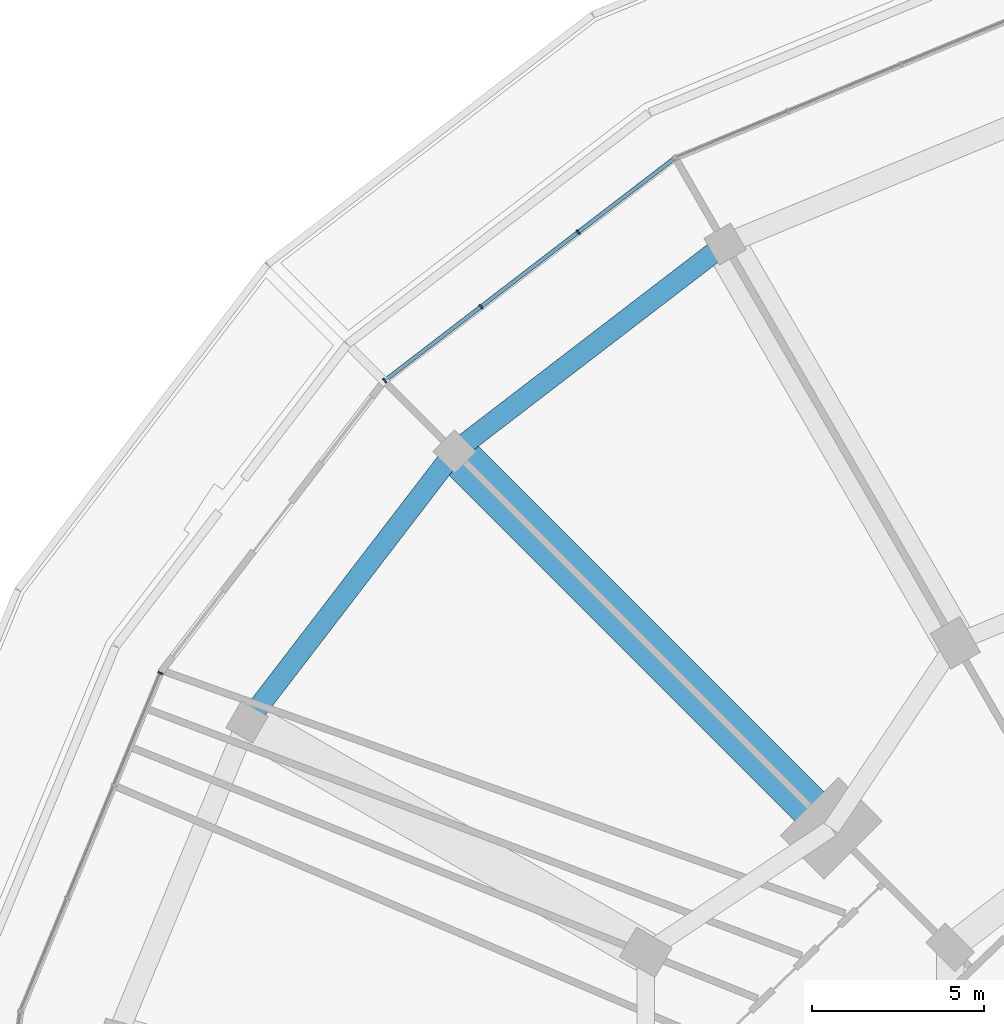
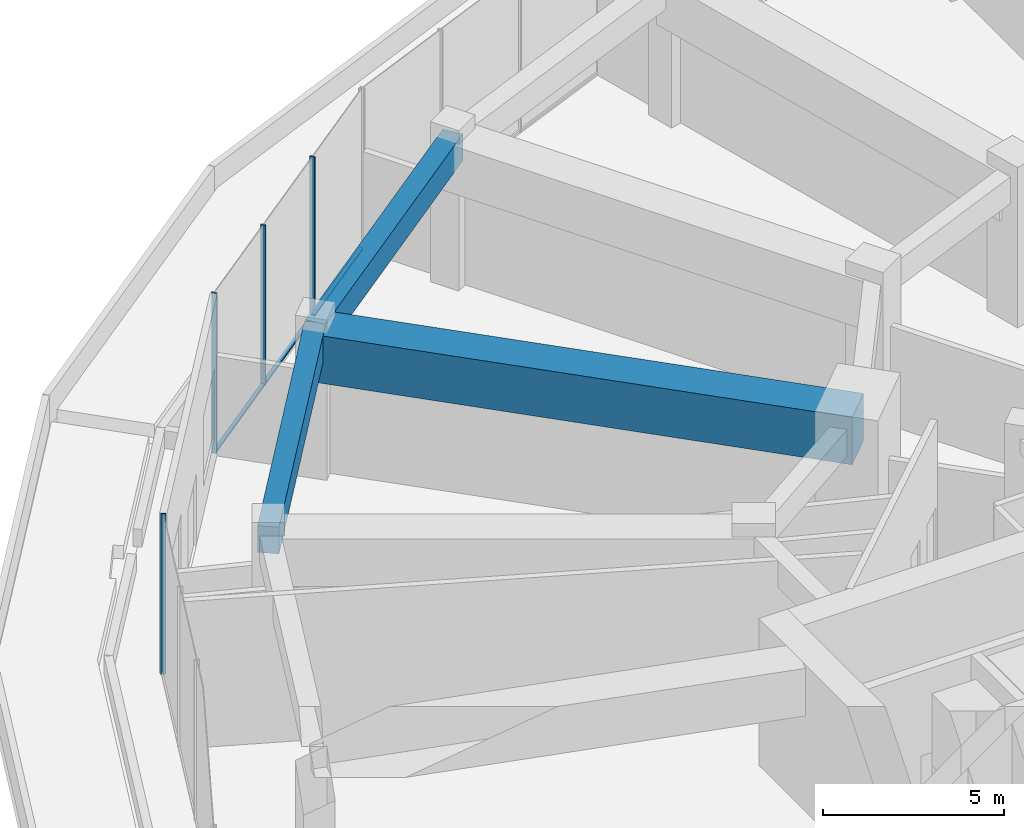
# One storey, part 14 of 30: 7 members, 3 beams, 2 elements without a shape of their own.
"""IFC4 building model written with IfcOpenShell, lengths in metres."""

from ifc_helpers import new_model, si_unit, direction, frame, origin, origin_2d, place, context, subcontext, project, spatial, rectangle, extrude, material, layer, layer_set, material_profile, profile_set, type_object, element, aggregate, save


model = new_model("IFC4")

# Units and contexts
model_context = context("Model", 3, precision=1e-05, world=origin(), true_north=direction((0.0, 1.0)))
body_context = subcontext(model_context, "Body", "Model", "MODEL_VIEW")
ifc_project = project(units=[si_unit("LENGTHUNIT", "METRE"), si_unit("AREAUNIT", "SQUARE_METRE"), si_unit("VOLUMEUNIT", "CUBIC_METRE"), si_unit("PLANEANGLEUNIT", "RADIAN"), si_unit("MASSUNIT", "GRAM", prefix="KILO")], contexts=[model_context])

# Site, building, storey
site_placement = place(None, origin())
site = spatial("IfcSite", under=ifc_project, at=site_placement, CompositionType="ELEMENT")
building_placement = place(site_placement, origin())
building = spatial("IfcBuilding", under=site, at=building_placement, Name="Torre Brocal", CompositionType="ELEMENT")
storey_placement = place(building_placement, frame((0.0, 0.0, 7.0)))
storey = spatial("IfcBuildingStorey", under=building, at=storey_placement, Name="L01", CompositionType="ELEMENT", Elevation=7.0)

# Curtain wall, members
ifc_material_1 = material(Name="Aluminium and glass", Category="aluminium")
ifc_layer = layer(ifc_material_1, 0.199951171875)
ifc_layer_set = layer_set([ifc_layer], Name="Aluminium and glass")
curtain_wall_type = type_object("IfcCurtainWallType", Name="CW-3 CURTAIN WALL 5400 HIGH", PredefinedType="NOTDEFINED", material=ifc_layer_set)
curtain_wall_1_placement = place(storey_placement, origin())
curtain_wall_1 = element("IfcCurtainWall", 1, at=curtain_wall_1_placement, inside=storey, type_object=curtain_wall_type, Name="CW-3 RUN 9", PredefinedType="NOTDEFINED")
ifc_material_2 = material(Name="Aluminium, dark anodised", Category="aluminium")
ifc_material_profile_1 = material_profile(ifc_material_2, rectangle(XDim=0.14990234375, YDim=0.050048828125, at=origin_2d()), Name="CW-3 MULLION 50X150")
ifc_profile_set_1 = profile_set([ifc_material_profile_1], Name="Aluminium, dark anodised")
member_type_1 = type_object("IfcMemberType", Name="CW-3 MULLION 50X150", PredefinedType="MULLION", material=ifc_profile_set_1)
member_1_placement = place(storey_placement, frame((56.72705078125, 108.253173828125, 0.0), z_axis=(0.0, 0.0, 1.0), x_axis=(0.608761429009, -0.793353340291, 0.0)))
member_1 = element("IfcMember", 2, at=member_1_placement, type_object=member_type_1, Name="CW3-2 mullion 2", PredefinedType="MULLION", context=body_context, shape_type="SweptSolid", body=[
    extrude(rectangle(XDim=0.14990234375, YDim=0.050048828125, at=origin_2d()), origin(), (0.0, 0.0, 1.0), 5.39990234375),
])
member_2_placement = place(storey_placement, frame((53.9033203125, 106.086669921875, 0.0), z_axis=(0.0, 0.0, 1.0), x_axis=(0.608761429009, -0.793353340291, 0.0)))
member_2 = element("IfcMember", 3, at=member_2_placement, type_object=member_type_1, Name="CW3-2 mullion 3", PredefinedType="MULLION", context=body_context, shape_type="SweptSolid", body=[
    extrude(rectangle(XDim=0.14990234375, YDim=0.050048828125, at=origin_2d()), origin(), (0.0, 0.0, 1.0), 5.39990234375),
])
member_3_placement = place(storey_placement, frame((51.099853515625, 103.935302734375, 0.0), z_axis=(0.0, 0.0, 1.0), x_axis=(0.608761429009, -0.793353340291, 0.0)))
member_3 = element("IfcMember", 4, at=member_3_placement, type_object=member_type_1, Name="CW3-2 mullion 4", PredefinedType="MULLION", context=body_context, shape_type="SweptSolid", body=[
    extrude(rectangle(XDim=0.14990234375, YDim=0.050048828125, at=origin_2d()), origin(), (0.0, 0.0, 1.0), 5.39990234375),
])

# Curtain wall, member
curtain_wall_2_placement = place(storey_placement, origin())
curtain_wall_2 = element("IfcCurtainWall", 5, at=curtain_wall_2_placement, inside=storey, type_object=curtain_wall_type, Name="CW-3 RUN 11", PredefinedType="NOTDEFINED")
member_4_placement = place(storey_placement, frame((44.57080078125, 95.426513671875, 0.0), z_axis=(0.0, 0.0, 1.0), x_axis=(0.923879532498, -0.382683432397, 0.0)))
member_4 = element("IfcMember", 6, at=member_4_placement, type_object=member_type_1, Name="CW3-2 mullion 1", PredefinedType="MULLION", context=body_context, shape_type="SweptSolid", body=[
    extrude(rectangle(XDim=0.14990234375, YDim=0.050048828125, at=origin_2d()), origin(), (0.0, 0.0, 1.0), 5.39990234375),
])
aggregate(curtain_wall_2, [member_4])

# Member
ifc_material_3 = material(Name="Aluminium, dark anodised", Category="aluminium")
ifc_material_profile_2 = material_profile(ifc_material_3, rectangle(XDim=0.1201171875, YDim=0.06005859375, at=origin_2d()), Name="CW-3 TRANSOM 120X60")
ifc_profile_set_2 = profile_set([ifc_material_profile_2], Name="Aluminium, dark anodised")
member_type_2 = type_object("IfcMemberType", Name="CW-3 TRANSOM 120X60", PredefinedType="USERDEFINED", material=ifc_profile_set_2)
member_5_placement = place(storey_placement, frame((59.5107421875, 110.38916015625, 0.030029296875), z_axis=(-0.793350254667, -0.608765450251, 0.0), x_axis=(0.608765450251, -0.793350254667, 0.0)))
member_5 = element("IfcMember", 7, at=member_5_placement, type_object=member_type_2, Name="CW3-2 transom 1.1", ObjectType="TRANSOM", PredefinedType="USERDEFINED", context=body_context, shape_type="SweptSolid", body=[
    extrude(rectangle(XDim=0.1201171875, YDim=0.06005859375, at=origin_2d()), origin(), (0.0, 0.0, 1.0), 3.48388671875),
])

member_6_placement = place(storey_placement, frame((56.70703125, 108.238037109375, 0.030029296875), z_axis=(-0.793321829967, -0.608802491862, 0.0), x_axis=(0.608802491862, -0.793321829967, 0.0)))
member_6 = element("IfcMember", 8, at=member_6_placement, type_object=member_type_2, Name="CW3-2 transom 2.1", ObjectType="TRANSOM", PredefinedType="USERDEFINED", context=body_context, shape_type="SweptSolid", body=[
    extrude(rectangle(XDim=0.1201171875, YDim=0.06005859375, at=origin_2d()), origin(), (0.0, 0.0, 1.0), 3.5087890625),
])

member_7_placement = place(storey_placement, frame((53.883544921875, 106.0712890625, 0.030029296875), z_axis=(-0.793350254667, -0.608765450251, 0.0), x_axis=(0.608765450251, -0.793350254667, 0.0)))
member_7 = element("IfcMember", 9, at=member_7_placement, type_object=member_type_2, Name="CW3-2 transom 3.1", ObjectType="TRANSOM", PredefinedType="USERDEFINED", context=body_context, shape_type="SweptSolid", body=[
    extrude(rectangle(XDim=0.1201171875, YDim=0.06005859375, at=origin_2d()), origin(), (0.0, 0.0, 1.0), 3.48388671875),
])

aggregate(curtain_wall_1, [member_1, member_2, member_3, member_5, member_6, member_7])

# Beams
ifc_material_4 = material(Name="Concrete C50", Category="concrete")
ifc_material_profile_3 = material_profile(ifc_material_4, rectangle(XDim=0.60009765625, YDim=0.89990234375, at=origin_2d()), Name="RC 600X900")
ifc_profile_set_3 = profile_set([ifc_material_profile_3], Name="Concrete C50")
beam_type_1 = type_object("IfcBeamType", Name="RC BEAM 600X900 C50 TOP 4950", PredefinedType="BEAM", material=ifc_profile_set_3)
for number, where, z_axis, x_axis, name in (
    (10, (61.0, 107.908935546875, 4.5), (-0.79335991075, -0.608752866125, 0.0), (0.608752866125, -0.79335991075, 0.0), "Beam BT-10"),
    (11, (53.1298828125, 101.8701171875, 4.5), (-0.608752866125, -0.79335991075, 0.0), (0.79335991075, -0.608752866125, 0.0), "Beam BT-10"),
):
    element("IfcBeam", number, at=place(storey_placement, frame(where, z_axis=z_axis, x_axis=x_axis)), inside=storey, type_object=beam_type_1, Name=name, PredefinedType="BEAM", context=body_context, shape_type="SweptSolid", body=[
        extrude(rectangle(XDim=0.60009765625, YDim=0.89990234375, at=origin_2d()), origin(), (0.0, 0.0, 1.0), 9.919921875),
    ])
ifc_material_5 = material(Name="Concrete C60", Category="concrete")
ifc_material_profile_4 = material_profile(ifc_material_5, rectangle(XDim=1.199951171875, YDim=1.60009765625, at=origin_2d()), Name="RC 1200X1600")
ifc_profile_set_4 = profile_set([ifc_material_profile_4], Name="Concrete C60")
beam_type_2 = type_object("IfcBeamType", Name="RC TRANSFER GIRDER 1200X1600 C60 TOP 4950", PredefinedType="BEAM", material=ifc_profile_set_4)
beam_placement = place(storey_placement, frame((64.090087890625, 90.909912109375, 4.14990234375), z_axis=(-0.707106781187, 0.707106781187, 0.0), x_axis=(-0.707106781187, -0.707106781187, 0.0)))
element("IfcBeam", 12, at=beam_placement, inside=storey, type_object=beam_type_2, Name="Beam TG-02", PredefinedType="BEAM", context=body_context, shape_type="SweptSolid", body=[
    extrude(rectangle(XDim=1.199951171875, YDim=1.60009765625, at=origin_2d()), origin(), (0.0, 0.0, 1.0), 15.5),
])

save(model, "model.ifc")
